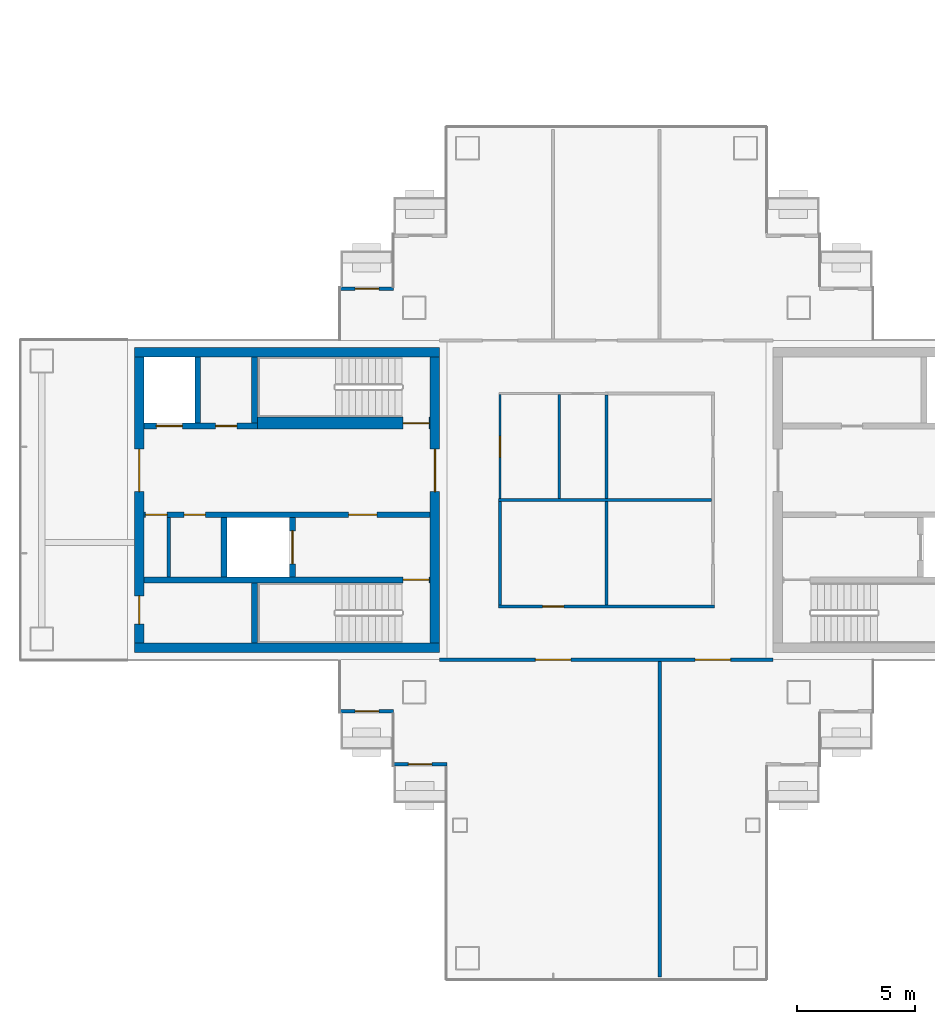
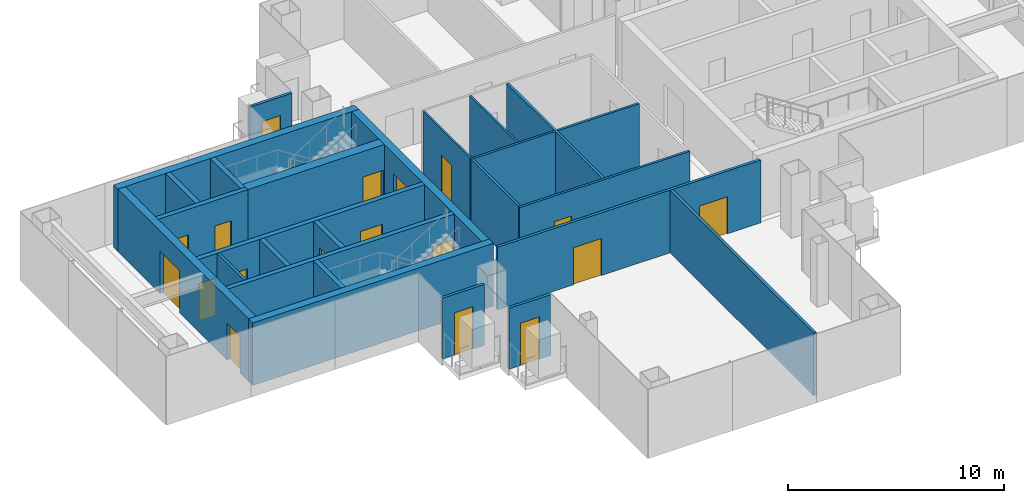
# One storey, part 8 of 15: 25 walls, 18 doors, 18 openings.
"""IFC4 building model written with IfcOpenShell, lengths in metres."""

from ifc_helpers import new_model, si_unit, direction, frame, frame_2d, origin, place, context, subcontext, project, spatial, rectangle, extrude, material, layer, layer_set, type_object, element, fill, save


model = new_model("IFC4")

# Units and contexts
model_context = context("Model", 3, precision=1e-05, world=origin(), true_north=direction((0.0, 1.0)))
body_context = subcontext(model_context, "Body", "Model", "MODEL_VIEW")
ifc_project = project(units=[si_unit("LENGTHUNIT", "METRE"), si_unit("AREAUNIT", "SQUARE_METRE"), si_unit("VOLUMEUNIT", "CUBIC_METRE"), si_unit("PLANEANGLEUNIT", "RADIAN"), si_unit("MASSUNIT", "GRAM", prefix="KILO")], contexts=[model_context])

# Site, building, storey
site_placement = place(None, origin())
site = spatial("IfcSite", under=ifc_project, at=site_placement, CompositionType="ELEMENT")
building_placement = place(site_placement, origin())
building = spatial("IfcBuilding", under=site, at=building_placement, Name="Shamsa Quay Exchange Towers", CompositionType="ELEMENT")
storey_placement = place(building_placement, frame((0.0, 0.0, 206.10009765625)))
storey = spatial("IfcBuildingStorey", under=building, at=storey_placement, Name="L49", CompositionType="ELEMENT", Elevation=206.10009765625)

# Wall, opening, door
ifc_material_1 = material(Name="Aluminium EN AW-6063 T6, black anodised, with black enamelled glass infill", Category="aluminium")
ifc_layer_1 = layer(ifc_material_1, 0.14990234375)
ifc_layer_set_1 = layer_set([ifc_layer_1], Name="BALCONY DOOR BAY WALL 150")
wall_type_1 = type_object("IfcWallType", Name="BALCONY DOOR BAY WALL 150", PredefinedType="SOLIDWALL", material=ifc_layer_set_1)
wall_1_placement = place(storey_placement, frame((-45.0, 8.925048828125, 0.0)))
wall_1 = element("IfcWall", 1, at=wall_1_placement, inside=storey, type_object=wall_type_1, Name="Door bay T1-PKWN L49", PredefinedType="SOLIDWALL", context=body_context, shape_type="SweptSolid", body=[
    extrude(rectangle(XDim=2.25, YDim=0.14990234375, at=frame_2d((1.125, 0.0))), origin(), (0.0, 0.0, 1.0), 3.449951171875),
])
opening_1_placement = place(wall_1_placement, frame((0.625, 0.0, 0.0)))
opening_1 = element("IfcOpeningElement", 2, at=opening_1_placement, cuts=wall_1, Name="Opening XD326", PredefinedType="OPENING", context=body_context, shape_type="SweptSolid", body=[
    extrude(rectangle(XDim=1.0, YDim=2.39990234375, at=frame_2d((0.5, 1.199951171875))), frame((0.0, 0.0849609375, 0.0), z_axis=(0.0, -1.0, 0.0), x_axis=(1.0, 0.0, 0.0)), (0.0, 0.0, 1.0), 0.169921875),
])
ifc_material_2 = material(Name="Aluminium EN AW-6063 T6, black anodised, with laminated glass leaf", Category="aluminium")
door_type_1 = type_object("IfcDoorType", Name="BALCONY DOOR 1000x2400", OperationType="SINGLE_SWING_LEFT", PredefinedType="DOOR", material=ifc_material_2)
door_1_placement = place(opening_1_placement, origin())
door_1 = element("IfcDoor", 3, at=door_1_placement, inside=storey, type_object=door_type_1, Name="Balcony door T1-PKWN L49", OperationType="SINGLE_SWING_RIGHT", OverallHeight=2.39990234375, OverallWidth=1.0, PredefinedType="DOOR", context=body_context, shape_type="SweptSolid", body=[
    extrude(rectangle(XDim=1.0, YDim=2.39990234375, at=frame_2d((0.5, 1.199951171875))), frame((0.0, 0.02490234375, 0.0), z_axis=(0.0, -1.0, 0.0), x_axis=(1.0, 0.0, 0.0)), (0.0, 0.0, 1.0), 0.050048828125),
])
fill(opening_1, door_1)

wall_2_placement = place(storey_placement, frame((-42.75, -8.925048828125, 0.0), z_axis=(0.0, 0.0, 1.0), x_axis=(-1.0, 0.0, 0.0)))
wall_2 = element("IfcWall", 4, at=wall_2_placement, inside=storey, type_object=wall_type_1, Name="Door bay T1-PKWS L49", PredefinedType="SOLIDWALL", context=body_context, shape_type="SweptSolid", body=[
    extrude(rectangle(XDim=2.25, YDim=0.14990234375, at=frame_2d((1.125, 0.0))), origin(), (0.0, 0.0, 1.0), 3.449951171875),
])
opening_2_placement = place(wall_2_placement, frame((0.625, 0.0, 0.0)))
opening_2 = element("IfcOpeningElement", 5, at=opening_2_placement, cuts=wall_2, Name="Opening XD327", PredefinedType="OPENING", context=body_context, shape_type="SweptSolid", body=[
    extrude(rectangle(XDim=1.0, YDim=2.39990234375, at=frame_2d((0.5, 1.199951171875))), frame((0.0, 0.0849609375, 0.0), z_axis=(0.0, -1.0, 0.0), x_axis=(1.0, 0.0, 0.0)), (0.0, 0.0, 1.0), 0.169921875),
])
door_2_placement = place(opening_2_placement, origin())
door_2 = element("IfcDoor", 6, at=door_2_placement, inside=storey, type_object=door_type_1, Name="Balcony door T1-PKWS L49", OperationType="SINGLE_SWING_LEFT", OverallHeight=2.39990234375, OverallWidth=1.0, PredefinedType="DOOR", context=body_context, shape_type="SweptSolid", body=[
    extrude(rectangle(XDim=1.0, YDim=2.39990234375, at=frame_2d((0.5, 1.199951171875))), frame((0.0, 0.02490234375, 0.0), z_axis=(0.0, -1.0, 0.0), x_axis=(1.0, 0.0, 0.0)), (0.0, 0.0, 1.0), 0.050048828125),
])
fill(opening_2, door_2)

wall_3_placement = place(storey_placement, frame((-40.5, -11.175048828125, 0.0), z_axis=(0.0, 0.0, 1.0), x_axis=(-1.0, 0.0, 0.0)))
wall_3 = element("IfcWall", 7, at=wall_3_placement, inside=storey, type_object=wall_type_1, Name="Door bay T1-PKWS L49", PredefinedType="SOLIDWALL", context=body_context, shape_type="SweptSolid", body=[
    extrude(rectangle(XDim=2.25, YDim=0.14990234375, at=frame_2d((1.125, 0.0))), origin(), (0.0, 0.0, 1.0), 3.449951171875),
])
opening_3_placement = place(wall_3_placement, frame((0.625, 0.0, 0.0)))
opening_3 = element("IfcOpeningElement", 8, at=opening_3_placement, cuts=wall_3, Name="Opening XD328", PredefinedType="OPENING", context=body_context, shape_type="SweptSolid", body=[
    extrude(rectangle(XDim=1.0, YDim=2.39990234375, at=frame_2d((0.5, 1.199951171875))), frame((0.0, 0.0849609375, 0.0), z_axis=(0.0, -1.0, 0.0), x_axis=(1.0, 0.0, 0.0)), (0.0, 0.0, 1.0), 0.169921875),
])
door_3_placement = place(opening_3_placement, origin())
door_3 = element("IfcDoor", 9, at=door_3_placement, inside=storey, type_object=door_type_1, Name="Balcony door T1-PKWS L49", OperationType="SINGLE_SWING_RIGHT", OverallHeight=2.39990234375, OverallWidth=1.0, PredefinedType="DOOR", context=body_context, shape_type="SweptSolid", body=[
    extrude(rectangle(XDim=1.0, YDim=2.39990234375, at=frame_2d((0.5, 1.199951171875))), frame((0.0, 0.02490234375, 0.0), z_axis=(0.0, -1.0, 0.0), x_axis=(1.0, 0.0, 0.0)), (0.0, 0.0, 1.0), 0.050048828125),
])
fill(opening_3, door_3)

# Walls
ifc_material_3 = material(Name="Concrete C60/75", Category="concrete")
ifc_layer_2 = layer(ifc_material_3, 0.39990234375)
ifc_layer_set_2 = layer_set([ifc_layer_2], Name="CORE WALL 400 C60/75")
wall_type_2 = type_object("IfcWallType", Name="CORE WALL 400 C60/75", PredefinedType="SHEAR", material=ifc_layer_set_2)
for number, where, z_axis, x_axis, name in (
    (10, (-40.800048828125, -6.25, 0.0), (0.0, 0.0, 1.0), (-1.0, 0.0, 0.0), "Core wall T1B-R22-PS"),
    (11, (-40.800048828125, 6.25, 0.0), (0.0, 0.0, 1.0), (-1.0, 0.0, 0.0), "Core wall T1B-R22-PN"),
):
    element("IfcWall", number, at=place(storey_placement, frame(where, z_axis=z_axis, x_axis=x_axis)), inside=storey, type_object=wall_type_2, Name=name, PredefinedType="SHEAR", context=body_context, shape_type="SweptSolid", body=[
        extrude(rectangle(XDim=12.89990234375, YDim=0.39990234375, at=frame_2d((6.449951171875, 0.0))), origin(), (0.0, 0.0, 1.0), 3.5498046875),
    ])

# Wall, opening, door
wall_4_placement = place(storey_placement, frame((-41.0, -6.050048828125, 0.0), z_axis=(0.0, 0.0, 1.0), x_axis=(0.0, 1.0, 0.0)))
wall_4 = element("IfcWall", 12, at=wall_4_placement, inside=storey, type_object=wall_type_2, Name="Core wall T1B-R22-PF", PredefinedType="SHEAR", context=body_context, shape_type="SweptSolid", body=[
    extrude(rectangle(XDim=12.10009765625, YDim=0.39990234375, at=frame_2d((6.050048828125, 0.0))), origin(), (0.0, 0.0, 1.0), 3.5498046875),
])
opening_4_placement = place(wall_4_placement, frame((6.39990234375, 0.0, 0.0)))
opening_4 = element("IfcOpeningElement", 13, at=opening_4_placement, cuts=wall_4, Name="Opening T1B-R22-LBD01", PredefinedType="OPENING", context=body_context, shape_type="SweptSolid", body=[
    extrude(rectangle(XDim=1.800048828125, YDim=2.39990234375, at=frame_2d((0.89990234375, 1.199951171875))), frame((0.0, 0.2099609375, 0.0), z_axis=(0.0, -1.0, 0.0), x_axis=(1.0, 0.0, 0.0)), (0.0, 0.0, 1.0), 0.419921875),
])
ifc_material_4 = material(Name="Steel, fire rated", Category="steel")
door_type_2 = type_object("IfcDoorType", Name="LIFT LOBBY DOOR PAIR 1800", OperationType="DOUBLE_DOOR_SINGLE_SWING", PredefinedType="DOOR", material=ifc_material_4)
door_4_placement = place(opening_4_placement, origin())
door_4 = element("IfcDoor", 14, at=door_4_placement, inside=storey, type_object=door_type_2, Name="T1B-R22-LBD01", OperationType="DOUBLE_DOOR_SINGLE_SWING", OverallHeight=2.39990234375, OverallWidth=1.800048828125, PredefinedType="DOOR", context=body_context, shape_type="SweptSolid", body=[
    extrude(rectangle(XDim=1.800048828125, YDim=2.39990234375, at=frame_2d((0.89990234375, 1.199951171875))), frame((0.0, 0.02490234375, 0.0), z_axis=(0.0, -1.0, 0.0), x_axis=(1.0, 0.0, 0.0)), (0.0, 0.0, 1.0), 0.050048828125),
])
fill(opening_4, door_4)

# Wall, openings, doors
wall_5_placement = place(storey_placement, frame((-53.5, -6.050048828125, 0.0), z_axis=(0.0, 0.0, 1.0), x_axis=(0.0, 1.0, 0.0)))
wall_5 = element("IfcWall", 15, at=wall_5_placement, inside=storey, type_object=wall_type_2, Name="Core wall T1B-R22-PB", PredefinedType="SHEAR", context=body_context, shape_type="SweptSolid", body=[
    extrude(rectangle(XDim=12.10009765625, YDim=0.39990234375, at=frame_2d((6.050048828125, 0.0))), origin(), (0.0, 0.0, 1.0), 3.5498046875),
])
opening_5_placement = place(wall_5_placement, frame((0.800048828125, 0.0, 0.0)))
opening_5 = element("IfcOpeningElement", 16, at=opening_5_placement, cuts=wall_5, Name="Opening T1B-R22-RD02", PredefinedType="OPENING", context=body_context, shape_type="SweptSolid", body=[
    extrude(rectangle(XDim=1.199951171875, YDim=2.10009765625, at=frame_2d((0.60009765625, 1.050048828125))), frame((0.0, 0.2099609375, 0.0), z_axis=(0.0, -1.0, 0.0), x_axis=(1.0, 0.0, 0.0)), (0.0, 0.0, 1.0), 0.419921875),
])
opening_6_placement = place(wall_5_placement, frame((6.39990234375, 0.0, 0.0)))
opening_6 = element("IfcOpeningElement", 17, at=opening_6_placement, cuts=wall_5, Name="Opening T1B-R22-LBD03", PredefinedType="OPENING", context=body_context, shape_type="SweptSolid", body=[
    extrude(rectangle(XDim=1.800048828125, YDim=2.39990234375, at=frame_2d((0.89990234375, 1.199951171875))), frame((0.0, 0.2099609375, 0.0), z_axis=(0.0, -1.0, 0.0), x_axis=(1.0, 0.0, 0.0)), (0.0, 0.0, 1.0), 0.419921875),
])
door_5_placement = place(opening_6_placement, origin())
door_5 = element("IfcDoor", 18, at=door_5_placement, inside=storey, type_object=door_type_2, Name="T1B-R22-LBD03", OperationType="DOUBLE_DOOR_SINGLE_SWING", OverallHeight=2.39990234375, OverallWidth=1.800048828125, PredefinedType="DOOR", context=body_context, shape_type="SweptSolid", body=[
    extrude(rectangle(XDim=1.800048828125, YDim=2.39990234375, at=frame_2d((0.89990234375, 1.199951171875))), frame((0.0, 0.02490234375, 0.0), z_axis=(0.0, -1.0, 0.0), x_axis=(1.0, 0.0, 0.0)), (0.0, 0.0, 1.0), 0.050048828125),
])
fill(opening_6, door_5)
door_type_3 = type_object("IfcDoorType", Name="RISER ACCESS DOOR 1200", OperationType="SINGLE_SWING_LEFT", PredefinedType="DOOR", material=ifc_material_4)
door_6_placement = place(opening_5_placement, origin())
door_6 = element("IfcDoor", 19, at=door_6_placement, inside=storey, type_object=door_type_3, Name="T1B-R22-RD02", OperationType="SINGLE_SWING_LEFT", OverallHeight=2.10009765625, OverallWidth=1.199951171875, PredefinedType="DOOR", context=body_context, shape_type="SweptSolid", body=[
    extrude(rectangle(XDim=1.199951171875, YDim=2.10009765625, at=frame_2d((0.60009765625, 1.050048828125))), frame((0.0, 0.02490234375, 0.0), z_axis=(0.0, -1.0, 0.0), x_axis=(1.0, 0.0, 0.0)), (0.0, 0.0, 1.0), 0.050048828125),
])
fill(opening_5, door_6)

# Wall
ifc_material_5 = material(Name="Gypsum board on steel studs, EI 60", Category="steel")
ifc_layer_3 = layer(ifc_material_5, 0.14990234375)
ifc_layer_set_3 = layer_set([ifc_layer_3], Name="FIRE PARTITION 150")
wall_type_3 = type_object("IfcWallType", Name="FIRE PARTITION 150", PredefinedType="PARTITIONING", material=ifc_layer_set_3)
wall_6_placement = place(storey_placement, frame((-52.25, -3.25, 0.0), z_axis=(0.0, 0.0, 1.0), x_axis=(0.0, 1.0, 0.0)))
element("IfcWall", 20, at=wall_6_placement, inside=storey, type_object=wall_type_3, Name="Partition T1B-R22-EC0", PredefinedType="PARTITIONING", context=body_context, shape_type="SweptSolid", body=[
    extrude(rectangle(XDim=2.5, YDim=0.14990234375, at=frame_2d((1.25, 0.0))), origin(), (0.0, 0.0, 1.0), 3.5498046875),
])

# Wall, opening, door
ifc_material_6 = material(Name="Laminated fire-resisting glass in a metal frame", Category="glass")
ifc_layer_4 = layer(ifc_material_6, 0.125)
ifc_layer_set_4 = layer_set([ifc_layer_4], Name="Glazed partition 125 mm EI 60")
wall_type_4 = type_object("IfcWallType", Name="Glazed partition 125 mm EI 60", PredefinedType="PARTITIONING", material=ifc_layer_set_4)
wall_7_placement = place(storey_placement, frame((-38.3125, -4.5, 0.0)))
wall_7 = element("IfcWall", 21, at=wall_7_placement, inside=storey, type_object=wall_type_4, Name="Partition T1-R22-W03", PredefinedType="PARTITIONING", context=body_context, shape_type="SweptSolid", body=[
    extrude(rectangle(XDim=9.125, YDim=0.125, at=frame_2d((4.5625, 0.0))), origin(), (0.0, 0.0, 1.0), 3.5498046875),
])
opening_7_placement = place(wall_7_placement, frame((1.862548828125, 0.0, 0.0)))
opening_7 = element("IfcOpeningElement", 22, at=opening_7_placement, cuts=wall_7, Name="Opening T1-R22-D04", PredefinedType="OPENING", context=body_context, shape_type="SweptSolid", body=[
    extrude(rectangle(XDim=0.89990234375, YDim=2.10009765625, at=frame_2d((0.449951171875, 1.050048828125))), frame((0.0, 0.072509765625, 0.0), z_axis=(0.0, -1.0, 0.0), x_axis=(1.0, 0.0, 0.0)), (0.0, 0.0, 1.0), 0.14501953125),
])
ifc_material_7 = material(Name="Timber door leaf in a metal frame", Category="wood")
door_type_4 = type_object("IfcDoorType", Name="Door 900x2100 FD30S", OperationType="NOTDEFINED", PredefinedType="DOOR", material=ifc_material_7)
door_7_placement = place(opening_7_placement, origin())
door_7 = element("IfcDoor", 23, at=door_7_placement, inside=storey, type_object=door_type_4, Name="Door T1-R22-D04", OperationType="SINGLE_SWING_LEFT", OverallHeight=2.10009765625, OverallWidth=0.89990234375, PredefinedType="DOOR", context=body_context, shape_type="SweptSolid", body=[
    extrude(rectangle(XDim=0.89990234375, YDim=2.10009765625, at=frame_2d((0.449951171875, 1.050048828125))), frame((0.0, 0.02490234375, 0.0), z_axis=(0.0, -1.0, 0.0), x_axis=(1.0, 0.0, 0.0)), (0.0, 0.0, 1.0), 0.050048828125),
])
fill(opening_7, door_7)

# Walls
wall_8_placement = place(storey_placement, frame((-38.25, -0.0625, 0.0), z_axis=(0.0, 0.0, 1.0), x_axis=(0.0, -1.0, 0.0)))
element("IfcWall", 24, at=wall_8_placement, inside=storey, type_object=wall_type_4, Name="Partition T1-R22-W06", PredefinedType="PARTITIONING", context=body_context, shape_type="SweptSolid", body=[
    extrude(rectangle(XDim=4.375, YDim=0.125, at=frame_2d((2.1875, 0.0))), origin(), (0.0, 0.0, 1.0), 3.5498046875),
])
wall_9_placement = place(storey_placement, frame((-38.3125, 0.0, 0.0)))
element("IfcWall", 25, at=wall_9_placement, inside=storey, type_object=wall_type_4, Name="Partition T1-R22-W09", PredefinedType="PARTITIONING", context=body_context, shape_type="SweptSolid", body=[
    extrude(rectangle(XDim=9.0, YDim=0.125, at=frame_2d((4.5, 0.0))), origin(), (0.0, 0.0, 1.0), 3.5498046875),
])
wall_10_placement = place(storey_placement, frame((-33.75, 4.4375, 0.0), z_axis=(0.0, 0.0, 1.0), x_axis=(0.0, -1.0, 0.0)))
element("IfcWall", 26, at=wall_10_placement, inside=storey, type_object=wall_type_4, Name="Partition T1-R22-W10", PredefinedType="PARTITIONING", context=body_context, shape_type="SweptSolid", body=[
    extrude(rectangle(XDim=8.875, YDim=0.125, at=frame_2d((4.4375, 0.0))), origin(), (0.0, 0.0, 1.0), 3.5498046875),
])

# Wall, opening, door
ifc_material_8 = material(Name="Gypsum board partition on metal studs")
ifc_layer_5 = layer(ifc_material_8, 0.10009765625)
ifc_layer_set_5 = layer_set([ifc_layer_5], Name="Partition 100 mm NOT RATED")
wall_type_5 = type_object("IfcWallType", Name="Partition 100 mm NOT RATED", PredefinedType="PARTITIONING", material=ifc_layer_set_5)
wall_11_placement = place(storey_placement, frame((-38.25, 4.449951171875, 0.0), z_axis=(0.0, 0.0, 1.0), x_axis=(0.0, -1.0, 0.0)))
wall_11 = element("IfcWall", 27, at=wall_11_placement, inside=storey, type_object=wall_type_5, Name="Partition T1-R22-W04", PredefinedType="PARTITIONING", context=body_context, shape_type="SweptSolid", body=[
    extrude(rectangle(XDim=4.387451171875, YDim=0.10009765625, at=frame_2d((2.19384765625, 0.0))), origin(), (0.0, 0.0, 1.0), 3.5498046875),
])
opening_8_placement = place(wall_11_placement, frame((1.75, 0.0, 0.0)))
opening_8 = element("IfcOpeningElement", 28, at=opening_8_placement, cuts=wall_11, Name="Opening T1-R22-D05", PredefinedType="OPENING", context=body_context, shape_type="SweptSolid", body=[
    extrude(rectangle(XDim=0.89990234375, YDim=2.10009765625, at=frame_2d((0.449951171875, 1.050048828125))), frame((0.0, 0.06005859375, 0.0), z_axis=(0.0, -1.0, 0.0), x_axis=(1.0, 0.0, 0.0)), (0.0, 0.0, 1.0), 0.1201171875),
])
door_type_5 = type_object("IfcDoorType", Name="Door 900x2100 NOT RATED", OperationType="NOTDEFINED", PredefinedType="DOOR", material=ifc_material_7)
door_8_placement = place(opening_8_placement, origin())
door_8 = element("IfcDoor", 29, at=door_8_placement, inside=storey, type_object=door_type_5, Name="Door T1-R22-D05", OperationType="SINGLE_SWING_LEFT", OverallHeight=2.10009765625, OverallWidth=0.89990234375, PredefinedType="DOOR", context=body_context, shape_type="SweptSolid", body=[
    extrude(rectangle(XDim=0.89990234375, YDim=2.10009765625, at=frame_2d((0.449951171875, 1.050048828125))), frame((0.0, 0.02490234375, 0.0), z_axis=(0.0, -1.0, 0.0), x_axis=(1.0, 0.0, 0.0)), (0.0, 0.0, 1.0), 0.050048828125),
])
fill(opening_8, door_8)

# Wall
wall_12_placement = place(storey_placement, frame((-35.75, 0.0625, 0.0), z_axis=(0.0, 0.0, 1.0), x_axis=(0.0, 1.0, 0.0)))
element("IfcWall", 30, at=wall_12_placement, inside=storey, type_object=wall_type_5, Name="Partition T1-R22-W11", PredefinedType="PARTITIONING", context=body_context, shape_type="SweptSolid", body=[
    extrude(rectangle(XDim=4.387451171875, YDim=0.10009765625, at=frame_2d((2.19384765625, 0.0))), origin(), (0.0, 0.0, 1.0), 3.5498046875),
])

# Wall, openings, doors
ifc_layer_6 = layer(ifc_material_8, 0.14990234375)
ifc_layer_set_6 = layer_set([ifc_layer_6], Name="Partition 150 mm EI 60")
wall_type_6 = type_object("IfcWallType", Name="Partition 150 mm EI 60", PredefinedType="PARTITIONING", material=ifc_layer_set_6)
wall_13_placement = place(storey_placement, frame((-26.699951171875, -6.75, 0.0), z_axis=(0.0, 0.0, 1.0), x_axis=(-1.0, 0.0, 0.0)))
wall_13 = element("IfcWall", 31, at=wall_13_placement, inside=storey, type_object=wall_type_6, Name="Partition T1-R22-W08", PredefinedType="PARTITIONING", context=body_context, shape_type="SweptSolid", body=[
    extrude(rectangle(XDim=14.10009765625, YDim=0.14990234375, at=frame_2d((7.050048828125, 0.0))), origin(), (0.0, 0.0, 1.0), 3.5498046875),
])
opening_9_placement = place(wall_13_placement, frame((1.800048828125, 0.0, 0.0)))
opening_9 = element("IfcOpeningElement", 32, at=opening_9_placement, cuts=wall_13, Name="Opening T1-R22-D09", PredefinedType="OPENING", context=body_context, shape_type="SweptSolid", body=[
    extrude(rectangle(XDim=1.5, YDim=2.10009765625, at=frame_2d((0.75, 1.050048828125))), frame((0.0, 0.0849609375, 0.0), z_axis=(0.0, -1.0, 0.0), x_axis=(1.0, 0.0, 0.0)), (0.0, 0.0, 1.0), 0.169921875),
])
opening_10_placement = place(wall_13_placement, frame((8.550048828125, 0.0, 0.0)))
opening_10 = element("IfcOpeningElement", 33, at=opening_10_placement, cuts=wall_13, Name="Opening T1-R22-D10", PredefinedType="OPENING", context=body_context, shape_type="SweptSolid", body=[
    extrude(rectangle(XDim=1.5, YDim=2.10009765625, at=frame_2d((0.75, 1.050048828125))), frame((0.0, 0.0849609375, 0.0), z_axis=(0.0, -1.0, 0.0), x_axis=(1.0, 0.0, 0.0)), (0.0, 0.0, 1.0), 0.169921875),
])
door_type_6 = type_object("IfcDoorType", Name="Door 1500x2100 FD30S pair", OperationType="NOTDEFINED", PredefinedType="DOOR", material=ifc_material_7)
door_9_placement = place(opening_9_placement, origin())
door_9 = element("IfcDoor", 34, at=door_9_placement, inside=storey, type_object=door_type_6, Name="Door T1-R22-D09", OperationType="DOUBLE_DOOR_SINGLE_SWING", OverallHeight=2.10009765625, OverallWidth=1.5, PredefinedType="DOOR", context=body_context, shape_type="SweptSolid", body=[
    extrude(rectangle(XDim=1.5, YDim=2.10009765625, at=frame_2d((0.75, 1.050048828125))), frame((0.0, 0.02490234375, 0.0), z_axis=(0.0, -1.0, 0.0), x_axis=(1.0, 0.0, 0.0)), (0.0, 0.0, 1.0), 0.050048828125),
])
fill(opening_9, door_9)
door_10_placement = place(opening_10_placement, origin())
door_10 = element("IfcDoor", 35, at=door_10_placement, inside=storey, type_object=door_type_6, Name="Door T1-R22-D10", OperationType="DOUBLE_DOOR_SINGLE_SWING", OverallHeight=2.10009765625, OverallWidth=1.5, PredefinedType="DOOR", context=body_context, shape_type="SweptSolid", body=[
    extrude(rectangle(XDim=1.5, YDim=2.10009765625, at=frame_2d((0.75, 1.050048828125))), frame((0.0, 0.02490234375, 0.0), z_axis=(0.0, -1.0, 0.0), x_axis=(1.0, 0.0, 0.0)), (0.0, 0.0, 1.0), 0.050048828125),
])
fill(opening_10, door_10)

# Wall
wall_14_placement = place(storey_placement, frame((-31.5, -20.155029296875, 0.0), z_axis=(0.0, 0.0, 1.0), x_axis=(0.0, 1.0, 0.0)))
element("IfcWall", 36, at=wall_14_placement, inside=storey, type_object=wall_type_6, Name="Partition T1-R22-W14", PredefinedType="PARTITIONING", context=body_context, shape_type="SweptSolid", body=[
    extrude(rectangle(XDim=13.330078125, YDim=0.14990234375, at=frame_2d((6.6650390625, 0.0))), origin(), (0.0, 0.0, 1.0), 3.5498046875),
])

# Wall, opening, door
ifc_material_9 = material(Name="Concrete C50/60", Category="concrete")
ifc_layer_7 = layer(ifc_material_9, 0.25)
ifc_layer_set_7 = layer_set([ifc_layer_7], Name="SHAFT WALL 250 C50/60")
wall_type_7 = type_object("IfcWallType", Name="SHAFT WALL 250 C50/60", PredefinedType="SHEAR", material=ifc_layer_set_7)
wall_15_placement = place(storey_placement, frame((-41.199951171875, -3.375, 0.0), z_axis=(0.0, 0.0, 1.0), x_axis=(-1.0, 0.0, 0.0)))
wall_15 = element("IfcWall", 37, at=wall_15_placement, inside=storey, type_object=wall_type_7, Name="Shaft wall T1B-R22-STL", PredefinedType="SHEAR", context=body_context, shape_type="SweptSolid", body=[
    extrude(rectangle(XDim=12.10009765625, YDim=0.25, at=frame_2d((6.050048828125, 0.0))), origin(), (0.0, 0.0, 1.0), 3.5498046875),
])
opening_11_placement = place(wall_15_placement, frame((0.050048828125, 0.0, 0.0)))
opening_11 = element("IfcOpeningElement", 38, at=opening_11_placement, cuts=wall_15, Name="Opening T1B-R22-SD04", PredefinedType="OPENING", context=body_context, shape_type="SweptSolid", body=[
    extrude(rectangle(XDim=1.10009765625, YDim=2.10009765625, at=frame_2d((0.550048828125, 1.050048828125))), frame((0.0, 0.135009765625, 0.0), z_axis=(0.0, -1.0, 0.0), x_axis=(1.0, 0.0, 0.0)), (0.0, 0.0, 1.0), 0.27001953125),
])
door_type_7 = type_object("IfcDoorType", Name="STAIR DOOR 1100", OperationType="SINGLE_SWING_LEFT", PredefinedType="DOOR", material=ifc_material_4)
door_11_placement = place(opening_11_placement, origin())
door_11 = element("IfcDoor", 39, at=door_11_placement, inside=storey, type_object=door_type_7, Name="T1B-R22-SD04", OperationType="SINGLE_SWING_LEFT", OverallHeight=2.10009765625, OverallWidth=1.10009765625, PredefinedType="DOOR", context=body_context, shape_type="SweptSolid", body=[
    extrude(rectangle(XDim=1.10009765625, YDim=2.10009765625, at=frame_2d((0.550048828125, 1.050048828125))), frame((0.0, 0.02490234375, 0.0), z_axis=(0.0, -1.0, 0.0), x_axis=(1.0, 0.0, 0.0)), (0.0, 0.0, 1.0), 0.050048828125),
])
fill(opening_11, door_11)

# Wall
wall_16_placement = place(storey_placement, frame((-48.625, -6.050048828125, 0.0), z_axis=(0.0, 0.0, 1.0), x_axis=(0.0, 1.0, 0.0)))
element("IfcWall", 40, at=wall_16_placement, inside=storey, type_object=wall_type_7, Name="Shaft wall T1B-R22-STF", PredefinedType="SHEAR", context=body_context, shape_type="SweptSolid", body=[
    extrude(rectangle(XDim=2.550048828125, YDim=0.25, at=frame_2d((1.27490234375, 0.0))), origin(), (0.0, 0.0, 1.0), 3.5498046875),
])

# Wall, openings, doors
wall_17_placement = place(storey_placement, frame((-41.199951171875, -0.625, 0.0), z_axis=(0.0, 0.0, 1.0), x_axis=(-1.0, 0.0, 0.0)))
wall_17 = element("IfcWall", 41, at=wall_17_placement, inside=storey, type_object=wall_type_7, Name="Shaft wall T1B-R22-B", PredefinedType="SHEAR", context=body_context, shape_type="SweptSolid", body=[
    extrude(rectangle(XDim=12.10009765625, YDim=0.25, at=frame_2d((6.050048828125, 0.0))), origin(), (0.0, 0.0, 1.0), 3.5498046875),
])
opening_12_placement = place(wall_17_placement, frame((2.25, 0.0, 0.0)))
opening_12 = element("IfcOpeningElement", 42, at=opening_12_placement, cuts=wall_17, Name="Opening T1B-R22-FD05", PredefinedType="OPENING", context=body_context, shape_type="SweptSolid", body=[
    extrude(rectangle(XDim=1.199951171875, YDim=2.10009765625, at=frame_2d((0.60009765625, 1.050048828125))), frame((0.0, 0.135009765625, 0.0), z_axis=(0.0, -1.0, 0.0), x_axis=(1.0, 0.0, 0.0)), (0.0, 0.0, 1.0), 0.27001953125),
])
opening_13_placement = place(wall_17_placement, frame((9.5, 0.0, 0.0)))
opening_13 = element("IfcOpeningElement", 43, at=opening_13_placement, cuts=wall_17, Name="Opening T1B-R22-SV06", PredefinedType="OPENING", context=body_context, shape_type="SweptSolid", body=[
    extrude(rectangle(XDim=0.89990234375, YDim=2.10009765625, at=frame_2d((0.449951171875, 1.050048828125))), frame((0.0, 0.135009765625, 0.0), z_axis=(0.0, -1.0, 0.0), x_axis=(1.0, 0.0, 0.0)), (0.0, 0.0, 1.0), 0.27001953125),
])
opening_14_placement = place(wall_17_placement, frame((11.125, 0.0, 0.0)))
opening_14 = element("IfcOpeningElement", 44, at=opening_14_placement, cuts=wall_17, Name="Opening T1B-R22-SV07", PredefinedType="OPENING", context=body_context, shape_type="SweptSolid", body=[
    extrude(rectangle(XDim=0.89990234375, YDim=2.10009765625, at=frame_2d((0.449951171875, 1.050048828125))), frame((0.0, 0.135009765625, 0.0), z_axis=(0.0, -1.0, 0.0), x_axis=(1.0, 0.0, 0.0)), (0.0, 0.0, 1.0), 0.27001953125),
])
door_type_8 = type_object("IfcDoorType", Name="FIRE SERVICE LOBBY DOOR 1200", OperationType="SINGLE_SWING_LEFT", PredefinedType="DOOR", material=ifc_material_4)
door_12_placement = place(opening_12_placement, origin())
door_12 = element("IfcDoor", 45, at=door_12_placement, inside=storey, type_object=door_type_8, Name="T1B-R22-FD05", OperationType="SINGLE_SWING_LEFT", OverallHeight=2.10009765625, OverallWidth=1.199951171875, PredefinedType="DOOR", context=body_context, shape_type="SweptSolid", body=[
    extrude(rectangle(XDim=1.199951171875, YDim=2.10009765625, at=frame_2d((0.60009765625, 1.050048828125))), frame((0.0, 0.02490234375, 0.0), z_axis=(0.0, -1.0, 0.0), x_axis=(1.0, 0.0, 0.0)), (0.0, 0.0, 1.0), 0.050048828125),
])
fill(opening_12, door_12)
door_type_9 = type_object("IfcDoorType", Name="SERVICE ROOM DOOR 900", OperationType="SINGLE_SWING_LEFT", PredefinedType="DOOR", material=ifc_material_4)
door_13_placement = place(opening_13_placement, origin())
door_13 = element("IfcDoor", 46, at=door_13_placement, inside=storey, type_object=door_type_9, Name="T1B-R22-SV06", OperationType="SINGLE_SWING_RIGHT", OverallHeight=2.10009765625, OverallWidth=0.89990234375, PredefinedType="DOOR", context=body_context, shape_type="SweptSolid", body=[
    extrude(rectangle(XDim=0.89990234375, YDim=2.10009765625, at=frame_2d((0.449951171875, 1.050048828125))), frame((0.0, 0.02490234375, 0.0), z_axis=(0.0, -1.0, 0.0), x_axis=(1.0, 0.0, 0.0)), (0.0, 0.0, 1.0), 0.050048828125),
])
fill(opening_13, door_13)
door_14_placement = place(opening_14_placement, origin())
door_14 = element("IfcDoor", 47, at=door_14_placement, inside=storey, type_object=door_type_9, Name="T1B-R22-SV07", OperationType="SINGLE_SWING_RIGHT", OverallHeight=2.10009765625, OverallWidth=0.89990234375, PredefinedType="DOOR", context=body_context, shape_type="SweptSolid", body=[
    extrude(rectangle(XDim=0.89990234375, YDim=2.10009765625, at=frame_2d((0.449951171875, 1.050048828125))), frame((0.0, 0.02490234375, 0.0), z_axis=(0.0, -1.0, 0.0), x_axis=(1.0, 0.0, 0.0)), (0.0, 0.0, 1.0), 0.050048828125),
])
fill(opening_14, door_14)

# Wall, opening, door
wall_18_placement = place(storey_placement, frame((-47.02490234375, -3.25, 0.0), z_axis=(0.0, 0.0, 1.0), x_axis=(0.0, 1.0, 0.0)))
wall_18 = element("IfcWall", 48, at=wall_18_placement, inside=storey, type_object=wall_type_7, Name="Shaft wall T1B-R22-FFF", PredefinedType="SHEAR", context=body_context, shape_type="SweptSolid", body=[
    extrude(rectangle(XDim=2.5, YDim=0.25, at=frame_2d((1.25, 0.0))), origin(), (0.0, 0.0, 1.0), 3.5498046875),
])
opening_15_placement = place(wall_18_placement, frame((0.550048828125, 0.0, 0.0)))
opening_15 = element("IfcOpeningElement", 49, at=opening_15_placement, cuts=wall_18, Name="Opening T1B-R22-LDG08", PredefinedType="OPENING", context=body_context, shape_type="SweptSolid", body=[
    extrude(rectangle(XDim=1.39990234375, YDim=2.39990234375, at=frame_2d((0.699951171875, 1.199951171875))), frame((0.0, 0.135009765625, 0.0), z_axis=(0.0, -1.0, 0.0), x_axis=(1.0, 0.0, 0.0)), (0.0, 0.0, 1.0), 0.27001953125),
])
door_type_10 = type_object("IfcDoorType", Name="GOODS LIFT LANDING DOOR 1400", OperationType="SLIDING_TO_LEFT", PredefinedType="DOOR", material=ifc_material_4)
door_15_placement = place(opening_15_placement, origin())
door_15 = element("IfcDoor", 50, at=door_15_placement, inside=storey, type_object=door_type_10, Name="T1B-R22-LDG08", OperationType="SLIDING_TO_LEFT", OverallHeight=2.39990234375, OverallWidth=1.39990234375, PredefinedType="DOOR", context=body_context, shape_type="SweptSolid", body=[
    extrude(rectangle(XDim=1.39990234375, YDim=2.39990234375, at=frame_2d((0.699951171875, 1.199951171875))), frame((0.0, 0.02490234375, 0.0), z_axis=(0.0, -1.0, 0.0), x_axis=(1.0, 0.0, 0.0)), (0.0, 0.0, 1.0), 0.050048828125),
])
fill(opening_15, door_15)

# Wall
wall_19_placement = place(storey_placement, frame((-49.925048828125, -3.25, 0.0), z_axis=(0.0, 0.0, 1.0), x_axis=(0.0, 1.0, 0.0)))
element("IfcWall", 51, at=wall_19_placement, inside=storey, type_object=wall_type_7, Name="Shaft wall T1B-R22-FFB", PredefinedType="SHEAR", context=body_context, shape_type="SweptSolid", body=[
    extrude(rectangle(XDim=2.5, YDim=0.25, at=frame_2d((1.25, 0.0))), origin(), (0.0, 0.0, 1.0), 3.5498046875),
])

# Wall, openings, doors
wall_20_placement = place(storey_placement, frame((-53.300048828125, 3.125, 0.0)))
wall_20 = element("IfcWall", 52, at=wall_20_placement, inside=storey, type_object=wall_type_7, Name="Shaft wall T1B-R22-N2", PredefinedType="SHEAR", context=body_context, shape_type="SweptSolid", body=[
    extrude(rectangle(XDim=4.800048828125, YDim=0.25, at=frame_2d((2.39990234375, 0.0))), origin(), (0.0, 0.0, 1.0), 3.5498046875),
])
opening_16_placement = place(wall_20_placement, frame((0.52490234375, 0.0, 0.0)))
opening_16 = element("IfcOpeningElement", 53, at=opening_16_placement, cuts=wall_20, Name="Opening T1B-R22-LD10", PredefinedType="OPENING", context=body_context, shape_type="SweptSolid", body=[
    extrude(rectangle(XDim=1.10009765625, YDim=2.10009765625, at=frame_2d((0.550048828125, 1.050048828125))), frame((0.0, 0.135009765625, 0.0), z_axis=(0.0, -1.0, 0.0), x_axis=(1.0, 0.0, 0.0)), (0.0, 0.0, 1.0), 0.27001953125),
])
opening_17_placement = place(wall_20_placement, frame((3.02490234375, 0.0, 0.0)))
opening_17 = element("IfcOpeningElement", 54, at=opening_17_placement, cuts=wall_20, Name="Opening T1B-R22-SV11", PredefinedType="OPENING", context=body_context, shape_type="SweptSolid", body=[
    extrude(rectangle(XDim=0.89990234375, YDim=2.10009765625, at=frame_2d((0.449951171875, 1.050048828125))), frame((0.0, 0.135009765625, 0.0), z_axis=(0.0, -1.0, 0.0), x_axis=(1.0, 0.0, 0.0)), (0.0, 0.0, 1.0), 0.27001953125),
])
door_type_11 = type_object("IfcDoorType", Name="LANDING DOOR 1100", OperationType="SLIDING_TO_LEFT", PredefinedType="DOOR", material=ifc_material_4)
door_16_placement = place(opening_16_placement, origin())
door_16 = element("IfcDoor", 55, at=door_16_placement, inside=storey, type_object=door_type_11, Name="T1B-R22-LD10", OperationType="SLIDING_TO_LEFT", OverallHeight=2.10009765625, OverallWidth=1.10009765625, PredefinedType="DOOR", context=body_context, shape_type="SweptSolid", body=[
    extrude(rectangle(XDim=1.10009765625, YDim=2.10009765625, at=frame_2d((0.550048828125, 1.050048828125))), frame((0.0, 0.02490234375, 0.0), z_axis=(0.0, -1.0, 0.0), x_axis=(1.0, 0.0, 0.0)), (0.0, 0.0, 1.0), 0.050048828125),
])
fill(opening_16, door_16)
door_17_placement = place(opening_17_placement, origin())
door_17 = element("IfcDoor", 56, at=door_17_placement, inside=storey, type_object=door_type_9, Name="T1B-R22-SV11", OperationType="SINGLE_SWING_RIGHT", OverallHeight=2.10009765625, OverallWidth=0.89990234375, PredefinedType="DOOR", context=body_context, shape_type="SweptSolid", body=[
    extrude(rectangle(XDim=0.89990234375, YDim=2.10009765625, at=frame_2d((0.449951171875, 1.050048828125))), frame((0.0, 0.02490234375, 0.0), z_axis=(0.0, -1.0, 0.0), x_axis=(1.0, 0.0, 0.0)), (0.0, 0.0, 1.0), 0.050048828125),
])
fill(opening_17, door_17)

# Walls
for number, where, z_axis, x_axis, name in (
    (57, (-48.625, 3.25, 0.0), (0.0, 0.0, 1.0), (0.0, 1.0, 0.0), "Shaft wall T1B-R22-STF2"),
    (58, (-51.02490234375, 3.25, 0.0), (0.0, 0.0, 1.0), (0.0, 1.0, 0.0), "Shaft wall T1B-R22-D0"),
):
    element("IfcWall", number, at=place(storey_placement, frame(where, z_axis=z_axis, x_axis=x_axis)), inside=storey, type_object=wall_type_7, Name=name, PredefinedType="SHEAR", context=body_context, shape_type="SweptSolid", body=[
        extrude(rectangle(XDim=2.800048828125, YDim=0.25, at=frame_2d((1.39990234375, 0.0))), origin(), (0.0, 0.0, 1.0), 3.5498046875),
    ])

# Wall, opening, door
ifc_layer_8 = layer(ifc_material_9, 0.5)
ifc_layer_set_8 = layer_set([ifc_layer_8], Name="SHAFT WALL 500 C50/60")
wall_type_8 = type_object("IfcWallType", Name="SHAFT WALL 500 C50/60", PredefinedType="SHEAR", material=ifc_layer_set_8)
wall_21_placement = place(storey_placement, frame((-48.5, 3.25, 0.0)))
wall_21 = element("IfcWall", 59, at=wall_21_placement, inside=storey, type_object=wall_type_8, Name="Shaft wall T1B-R22-N", PredefinedType="SHEAR", context=body_context, shape_type="SweptSolid", body=[
    extrude(rectangle(XDim=7.300048828125, YDim=0.5, at=frame_2d((3.64990234375, 0.0))), origin(), (0.0, 0.0, 1.0), 3.5498046875),
])
opening_18_placement = place(wall_21_placement, frame((6.14990234375, 0.0, 0.0)))
opening_18 = element("IfcOpeningElement", 60, at=opening_18_placement, cuts=wall_21, Name="Opening T1B-R22-SD09", PredefinedType="OPENING", context=body_context, shape_type="SweptSolid", body=[
    extrude(rectangle(XDim=1.10009765625, YDim=2.10009765625, at=frame_2d((0.550048828125, 1.050048828125))), frame((0.0, 0.260009765625, 0.0), z_axis=(0.0, -1.0, 0.0), x_axis=(1.0, 0.0, 0.0)), (0.0, 0.0, 1.0), 0.52001953125),
])
door_18_placement = place(opening_18_placement, origin())
door_18 = element("IfcDoor", 61, at=door_18_placement, inside=storey, type_object=door_type_7, Name="T1B-R22-SD09", OperationType="SINGLE_SWING_RIGHT", OverallHeight=2.10009765625, OverallWidth=1.10009765625, PredefinedType="DOOR", context=body_context, shape_type="SweptSolid", body=[
    extrude(rectangle(XDim=1.10009765625, YDim=2.10009765625, at=frame_2d((0.550048828125, 1.050048828125))), frame((0.0, 0.02490234375, 0.0), z_axis=(0.0, -1.0, 0.0), x_axis=(1.0, 0.0, 0.0)), (0.0, 0.0, 1.0), 0.050048828125),
])
fill(opening_18, door_18)

save(model, "model.ifc")
